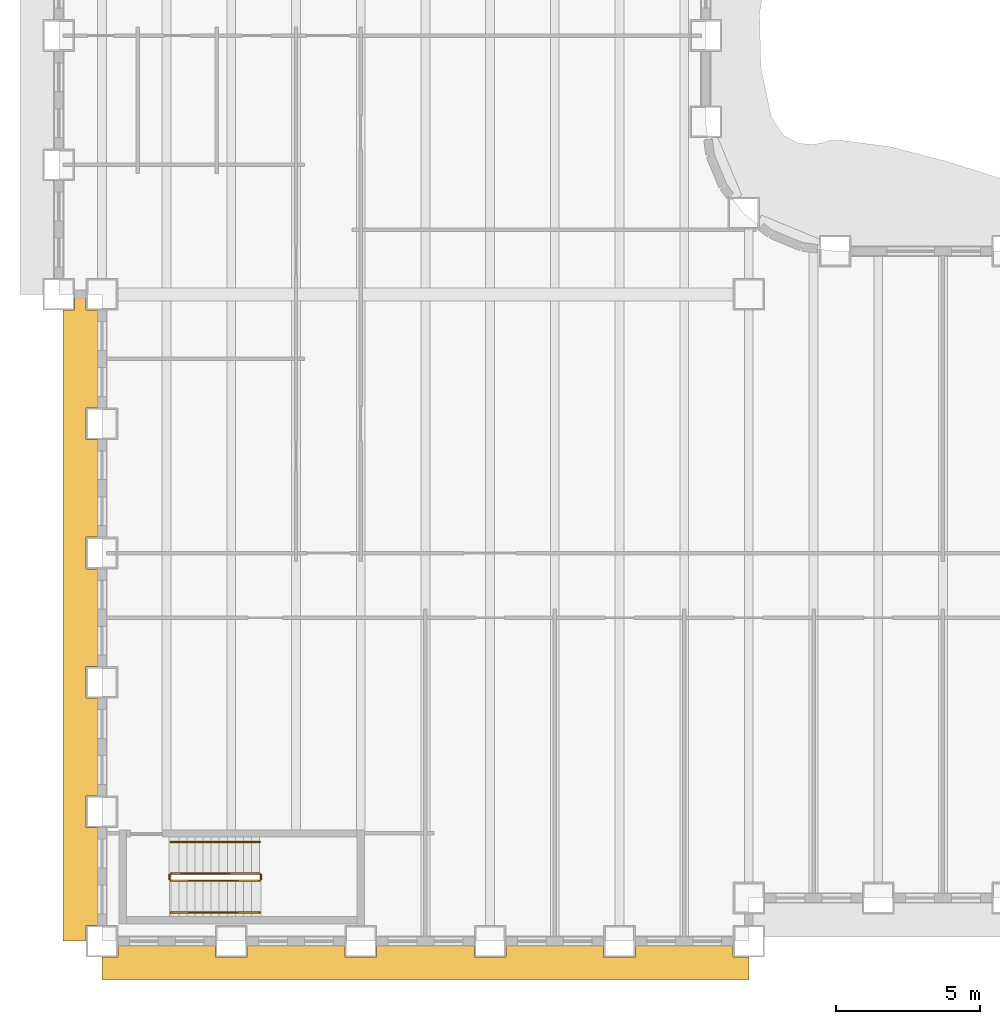
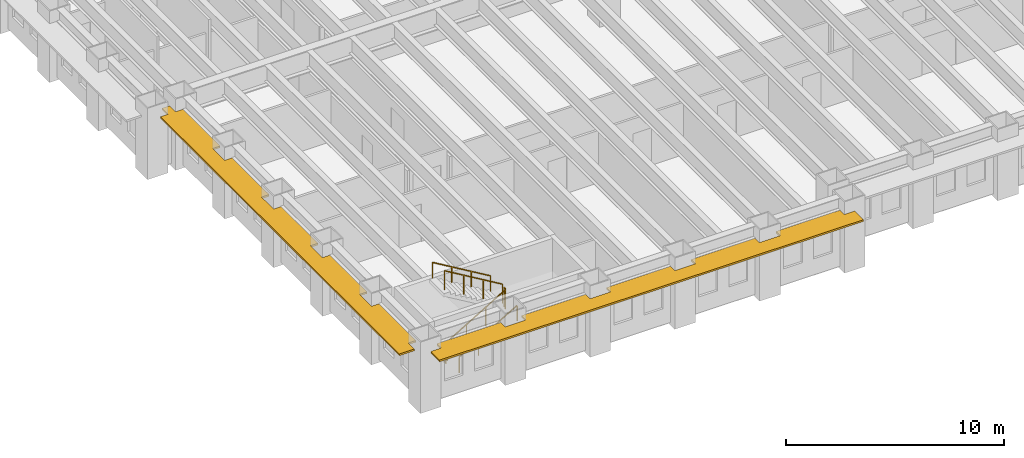
# One storey, part 11 of 16: 6 railings, 2 shading devices.
"""IFC4 building model written with IfcOpenShell, lengths in metres."""

import ifcopenshell
import ifcopenshell.guid

model = None  # the IFC model being written
_history = None  # IfcOwnerHistory: only IFC2X3 demands one
_inside = {}  # id of a spatial element -> (the spatial element, [elements in it])
_under = {}  # id of a project, library or spatial element -> (it, [spatial elements below it])
_declared = {}  # id of a project -> (the project, [libraries it declares])
_typed = {}  # id of a type object -> (the type object, [elements of that type])
_made_of = {}  # id of a material, layer set ... -> (it, [elements and type objects made of it])


def new_model(schema):
    """Start an empty IFC model of exactly this schema.

    Asked for "IFC4X3", IfcOpenShell would pick the latest addendum, in which some entities
    have other attributes; the version numbers below select the first issue.
    IFC2X3 requires an IfcOwnerHistory on every rooted entity: one is made here for all.
    """
    global model, _history
    if schema == "IFC4X3":
        model = ifcopenshell.file(schema_version=(4, 3, 0, 0))
    else:
        model = ifcopenshell.file(schema=schema)
    _inside.clear()
    _under.clear()
    _declared.clear()
    _typed.clear()
    _made_of.clear()
    _history = None
    if model.schema == "IFC2X3":
        org = make("IfcOrganization", Name="unknown")
        user = make(
            "IfcPersonAndOrganization",
            ThePerson=make("IfcPerson", FamilyName="unknown"),
            TheOrganization=org,
        )
        app = make(
            "IfcApplication",
            ApplicationDeveloper=org,
            Version="unknown",
            ApplicationFullName="unknown",
            ApplicationIdentifier="unknown",
        )
        _history = make(
            "IfcOwnerHistory",
            OwningUser=user,
            OwningApplication=app,
            ChangeAction="ADDED",
            CreationDate=0,
        )
    return model


def make(cls, **values):
    """One entity of the class cls with the attributes given. An attribute that is None is left unset."""
    return model.create_entity(
        cls, **{name: value for name, value in values.items() if value is not None}
    )


def rooted(cls, **values):
    """An entity with a GlobalId (a new one), such as an element, a storey or a relation."""
    return make(cls, GlobalId=ifcopenshell.guid.new(), OwnerHistory=_history, **values)


def si_unit(unit_type, name, prefix=None):
    """IfcSIUnit, for example si_unit("LENGTHUNIT", "METRE", prefix="MILLI")."""
    return make("IfcSIUnit", UnitType=unit_type, Prefix=prefix, Name=name)


def assignment(units):
    """IfcUnitAssignment: the units of a project."""
    return None if units is None else make("IfcUnitAssignment", Units=units)


def point(xyz):
    """IfcCartesianPoint."""
    return None if xyz is None else make("IfcCartesianPoint", Coordinates=xyz)


def direction(xyz):
    """IfcDirection."""
    return None if xyz is None else make("IfcDirection", DirectionRatios=xyz)


def frame(location, z_axis=None, x_axis=None):
    """IfcAxis2Placement3D, a coordinate frame: its origin and axes. An axis left out is left unset."""
    return make(
        "IfcAxis2Placement3D",
        Location=point(location),
        Axis=direction(z_axis),
        RefDirection=direction(x_axis),
    )


def frame_2d(location, x_axis=None):
    """IfcAxis2Placement2D, a coordinate frame in the plane: its origin and x axis."""
    return make(
        "IfcAxis2Placement2D", Location=point(location), RefDirection=direction(x_axis)
    )


def origin():
    """The frame at (0, 0, 0) with its axes left unset."""
    return frame((0.0, 0.0, 0.0))


def origin_2d():
    """The frame at (0, 0) in the plane with its x axis left unset."""
    return frame_2d((0.0, 0.0))


def place(relative_to, where):
    """IfcLocalPlacement: puts the frame where relative to a parent placement (None: the world)."""
    return make(
        "IfcLocalPlacement", PlacementRelTo=relative_to, RelativePlacement=where
    )


def context(
    kind, dimensions, precision=None, world=None, true_north=None, identifier=None
):
    """IfcGeometricRepresentationContext, for example the 3D "Model" context."""
    return make(
        "IfcGeometricRepresentationContext",
        ContextIdentifier=identifier,
        ContextType=kind,
        CoordinateSpaceDimension=dimensions,
        Precision=precision,
        WorldCoordinateSystem=world,
        TrueNorth=true_north,
    )


def subcontext(parent, identifier, kind, view, scale=None):
    """IfcGeometricRepresentationSubContext, for example "Body" below "Model"."""
    return make(
        "IfcGeometricRepresentationSubContext",
        ContextIdentifier=identifier,
        ContextType=kind,
        ParentContext=parent,
        TargetScale=scale,
        TargetView=view,
    )


def project(units=None, contexts=None):
    """IfcProject with its units and contexts."""
    return rooted(
        "IfcProject",
        Name="project",
        RepresentationContexts=contexts,
        UnitsInContext=assignment(units),
    )


def spatial(cls, under=None, at=None, **own):
    """A site, building, storey or space (cls), placed at a placement, below another one or the project."""
    s = rooted(cls, ObjectPlacement=at, **own)
    if under is not None:
        _under.setdefault(under.id(), (under, []))[1].append(s)
    return s


def polyline(points):
    """IfcPolyline through the points."""
    return make("IfcPolyline", Points=[point(p) for p in points])


def profile(cls, at=None, kind="AREA", **sizes):
    """A parametric profile (cls). Its sizes go by their IFC names, for example OverallWidth=200.0."""
    return make(cls, ProfileType=kind, Position=at, **sizes)


def rectangle(**sizes):
    """IfcRectangleProfileDef."""
    return profile("IfcRectangleProfileDef", **sizes)


def outline(outer, holes=None, kind="AREA"):
    """IfcArbitraryClosedProfileDef: a profile drawn as a closed curve; with holes, ...WithVoids."""
    if holes is None:
        return make("IfcArbitraryClosedProfileDef", ProfileType=kind, OuterCurve=outer)
    return make(
        "IfcArbitraryProfileDefWithVoids",
        ProfileType=kind,
        OuterCurve=outer,
        InnerCurves=holes,
    )


def extrude(swept, where, along, depth):
    """IfcExtrudedAreaSolid: the profile swept, set in the frame where, extruded along a direction by depth."""
    return make(
        "IfcExtrudedAreaSolid",
        SweptArea=swept,
        Position=where,
        ExtrudedDirection=direction(along),
        Depth=depth,
    )


def shape(context_of_items, identifier, shape_type, items):
    """IfcShapeRepresentation: the items that make up one representation, for example the "Body"."""
    return make(
        "IfcShapeRepresentation",
        ContextOfItems=context_of_items,
        RepresentationIdentifier=identifier,
        RepresentationType=shape_type,
        Items=items,
    )


def material(Name=None, Category=None):
    """IfcMaterial."""
    return make("IfcMaterial", Name=Name, Category=Category)


def layer(
    of_material, thickness, ventilated=None, Name=None, Category=None, Priority=None
):
    """IfcMaterialLayer: one layer of a wall or slab, of a material (None: an air gap)."""
    return make(
        "IfcMaterialLayer",
        Material=of_material,
        LayerThickness=thickness,
        IsVentilated=ventilated,
        Name=Name,
        Category=Category,
        Priority=Priority,
    )


def layer_set(layers, Name=None):
    """IfcMaterialLayerSet."""
    return make("IfcMaterialLayerSet", MaterialLayers=layers, LayerSetName=Name)


def made_of(thing, what):
    """Note that an element or type object is made of a material, layer set ...; save() writes the relation."""
    if what is not None:
        _made_of.setdefault(what.id(), (what, []))[1].append(thing)
    return thing


def type_object(cls, material=None, **own):
    """A type object (cls), such as IfcWallType, which elements share."""
    return made_of(rooted(cls, **own), material)


def element(
    cls,
    number,
    at=None,
    inside=None,
    cuts=None,
    type_object=None,
    material=None,
    context=None,
    identifier="Body",
    shape_type=None,
    held_by="IfcProductDefinitionShape",
    body=None,
    shapes=None,
    **own,
):
    """One element of the class cls, such as IfcWall. Its Tag is "e" and its number.

    at: its placement. inside: the storey or other place that contains it. cuts: it is an
    opening in that element (IfcRelVoidsElement). A single representation is given by context,
    identifier, shape_type and body (its items); several are given by shapes. held_by: the class
    of the entity that holds the representations. save() writes the other relations.
    """
    e = rooted(cls, Tag="e%d" % number, ObjectPlacement=at, **own)
    if body is not None:
        shapes = [shape(context, identifier, shape_type, body)]
    if shapes is not None:
        e.Representation = make(held_by, Representations=shapes)
    if inside is not None:
        _inside.setdefault(inside.id(), (inside, []))[1].append(e)
    if cuts is not None:
        rooted(
            "IfcRelVoidsElement", RelatingBuildingElement=cuts, RelatedOpeningElement=e
        )
    if type_object is not None:
        _typed.setdefault(type_object.id(), (type_object, []))[1].append(e)
    return made_of(e, material)


def aggregate(whole, parts):
    """IfcRelAggregates: a whole, such as a stair, and the parts it consists of."""
    return rooted("IfcRelAggregates", RelatingObject=whole, RelatedObjects=parts)


def save(model, path):
    """Write the relations noted so far, then the file.

    IfcRelAggregates (storeys below a building ...), IfcRelContainedInSpatialStructure (elements
    in a storey), IfcRelDefinesByType, IfcRelAssociatesMaterial and IfcRelDeclares: one each for
    every whole, place, type object, material and project.
    """
    for whole, parts in _under.values():
        aggregate(whole, parts)
    for where, things in _inside.values():
        rooted(
            "IfcRelContainedInSpatialStructure",
            RelatedElements=things,
            RelatingStructure=where,
        )
    for kind, things in _typed.values():
        rooted("IfcRelDefinesByType", RelatedObjects=things, RelatingType=kind)
    for what, things in _made_of.values():
        rooted("IfcRelAssociatesMaterial", RelatedObjects=things, RelatingMaterial=what)
    for by, libraries in _declared.values():
        rooted("IfcRelDeclares", RelatingContext=by, RelatedDefinitions=libraries)
    model.write(path)


model = new_model("IFC4")

# Units and contexts
model_context = context("Model", 3, precision=1e-05, world=origin(), true_north=direction((0.0, 1.0)))
body_context = subcontext(model_context, "Body", "Model", "MODEL_VIEW")
ifc_project = project(units=[si_unit("LENGTHUNIT", "METRE"), si_unit("AREAUNIT", "SQUARE_METRE"), si_unit("VOLUMEUNIT", "CUBIC_METRE"), si_unit("PLANEANGLEUNIT", "RADIAN"), si_unit("MASSUNIT", "GRAM", prefix="KILO")], contexts=[model_context])

# Site, building, storey
site_placement = place(None, origin())
site = spatial("IfcSite", under=ifc_project, at=site_placement, CompositionType="ELEMENT")
building_placement = place(site_placement, origin())
building = spatial("IfcBuilding", under=site, at=building_placement, Name="Sennacour Bend Tower", CompositionType="ELEMENT")
storey_placement = place(building_placement, frame((0.0, 0.0, 45.0)))
storey = spatial("IfcBuildingStorey", under=building, at=storey_placement, Name="L09", CompositionType="ELEMENT", Elevation=45.0)

# Railings
ifc_material_1 = material(Name="Stainless steel", Category="steel")
railing_type_1 = type_object("IfcRailingType", Name="RL-GUARD-1100", PredefinedType="GUARDRAIL", material=ifc_material_1)
railing_1_placement = place(storey_placement, frame((2.39990234375, 2.10009765625, 0.166748046875)))
element("IfcRailing", 1, at=railing_1_placement, inside=storey, type_object=railing_type_1, Name="L09 SK1 stair guard 1", PredefinedType="GUARDRAIL", context=body_context, shape_type="SweptSolid", body=[
    extrude(rectangle(XDim=0.048095703125, YDim=0.048095703125, at=origin_2d()), frame((0.0, 0.0, 1.076171875), z_axis=(0.859308565015, 0.0, 0.511457515432), x_axis=(0.0, 1.0, 0.0)), (0.0, 0.0, 1.0), 3.58447265625),
    extrude(rectangle(XDim=0.0419921875, YDim=0.0419921875, at=origin_2d()), origin(), (0.0, 0.0, 1.0), 1.052001953125),
    extrude(rectangle(XDim=0.0419921875, YDim=0.0419921875, at=origin_2d()), frame((1.026611328125, 0.0, 0.611083984375)), (0.0, 0.0, 1.0), 1.052001953125),
    extrude(rectangle(XDim=0.0419921875, YDim=0.0419921875, at=origin_2d()), frame((2.053466796875, 0.0, 1.22216796875)), (0.0, 0.0, 1.0), 1.052001953125),
    extrude(rectangle(XDim=0.0419921875, YDim=0.0419921875, at=origin_2d()), frame((3.080078125, 0.0, 1.833251953125)), (0.0, 0.0, 1.0), 1.052001953125),
])
railing_2_placement = place(storey_placement, frame((5.530029296875, 2.14990234375, 2.0)))
element("IfcRailing", 2, at=railing_2_placement, inside=storey, type_object=railing_type_1, Name="L09 SK1 stair guard 2", PredefinedType="GUARDRAIL", context=body_context, shape_type="SweptSolid", body=[
    extrude(rectangle(XDim=0.048095703125, YDim=0.048095703125, at=origin_2d()), frame((0.0, 0.0, 1.076171875), z_axis=(0.0, 1.0, 0.0), x_axis=(-1.0, 0.0, 0.0)), (0.0, 0.0, 1.0), 0.150146484375),
    extrude(rectangle(XDim=0.0419921875, YDim=0.0419921875, at=origin_2d()), origin(), (0.0, 0.0, 1.0), 1.052001953125),
    extrude(rectangle(XDim=0.0419921875, YDim=0.0419921875, at=origin_2d()), frame((0.0, 0.150146484375, 0.0)), (0.0, 0.0, 1.0), 1.052001953125),
])
railing_3_placement = place(storey_placement, frame((5.47998046875, 2.35009765625, 2.166748046875)))
element("IfcRailing", 3, at=railing_3_placement, inside=storey, type_object=railing_type_1, Name="L09 SK1 stair guard 3", PredefinedType="GUARDRAIL", context=body_context, shape_type="SweptSolid", body=[
    extrude(rectangle(XDim=0.048095703125, YDim=0.048095703125, at=origin_2d()), frame((0.0, 0.0, 1.076171875), z_axis=(-0.859308565015, 0.0, 0.511457515432), x_axis=(0.0, -1.0, 0.0)), (0.0, 0.0, 1.0), 3.58447265625),
    extrude(rectangle(XDim=0.0419921875, YDim=0.0419921875, at=origin_2d()), origin(), (0.0, 0.0, 1.0), 1.052001953125),
    extrude(rectangle(XDim=0.0419921875, YDim=0.0419921875, at=origin_2d()), frame((-1.026611328125, 0.0, 0.611083984375)), (0.0, 0.0, 1.0), 1.052001953125),
    extrude(rectangle(XDim=0.0419921875, YDim=0.0419921875, at=origin_2d()), frame((-2.053466796875, 0.0, 1.22216796875)), (0.0, 0.0, 1.0), 1.052001953125),
    extrude(rectangle(XDim=0.0419921875, YDim=0.0419921875, at=origin_2d()), frame((-3.080078125, 0.0, 1.833251953125)), (0.0, 0.0, 1.0), 1.052001953125),
])
railing_4_placement = place(storey_placement, frame((2.35009765625, 2.14990234375, 0.0)))
element("IfcRailing", 4, at=railing_4_placement, inside=storey, type_object=railing_type_1, Name="L09 SK1 stair guard 4", PredefinedType="GUARDRAIL", context=body_context, shape_type="SweptSolid", body=[
    extrude(rectangle(XDim=0.048095703125, YDim=0.048095703125, at=origin_2d()), frame((0.0, 0.0, 1.076171875), z_axis=(0.0, 1.0, 0.0), x_axis=(-1.0, 0.0, 0.0)), (0.0, 0.0, 1.0), 0.150146484375),
    extrude(rectangle(XDim=0.0419921875, YDim=0.0419921875, at=origin_2d()), origin(), (0.0, 0.0, 1.0), 1.052001953125),
    extrude(rectangle(XDim=0.0419921875, YDim=0.0419921875, at=origin_2d()), frame((0.0, 0.150146484375, 0.0)), (0.0, 0.0, 1.0), 1.052001953125),
])
railing_type_2 = type_object("IfcRailingType", Name="RL-HANDRAIL-900", PredefinedType="HANDRAIL", material=ifc_material_1)
railing_5_placement = place(storey_placement, frame((2.39990234375, 1.0, 0.166748046875)))
element("IfcRailing", 5, at=railing_5_placement, inside=storey, type_object=railing_type_2, Name="L09 SK1 stair handrail 1", PredefinedType="HANDRAIL", context=body_context, shape_type="SweptSolid", body=[
    extrude(rectangle(XDim=0.048095703125, YDim=0.048095703125, at=origin_2d()), frame((0.0, 0.0, 0.8759765625), z_axis=(0.859308565015, 0.0, 0.511457515432), x_axis=(0.0, 1.0, 0.0)), (0.0, 0.0, 1.0), 3.58447265625),
    extrude(rectangle(XDim=0.0419921875, YDim=0.0419921875, at=origin_2d()), origin(), (0.0, 0.0, 1.0), 0.851806640625),
    extrude(rectangle(XDim=0.0419921875, YDim=0.0419921875, at=origin_2d()), frame((1.026611328125, 0.0, 0.611083984375)), (0.0, 0.0, 1.0), 0.851806640625),
    extrude(rectangle(XDim=0.0419921875, YDim=0.0419921875, at=origin_2d()), frame((2.053466796875, 0.0, 1.22216796875)), (0.0, 0.0, 1.0), 0.851806640625),
    extrude(rectangle(XDim=0.0419921875, YDim=0.0419921875, at=origin_2d()), frame((3.080078125, 0.0, 1.833251953125)), (0.0, 0.0, 1.0), 0.851806640625),
])
railing_6_placement = place(storey_placement, frame((5.47998046875, 3.449951171875, 2.166748046875)))
element("IfcRailing", 6, at=railing_6_placement, inside=storey, type_object=railing_type_2, Name="L09 SK1 stair handrail 2", PredefinedType="HANDRAIL", context=body_context, shape_type="SweptSolid", body=[
    extrude(rectangle(XDim=0.048095703125, YDim=0.048095703125, at=origin_2d()), frame((0.0, 0.0, 0.8759765625), z_axis=(-0.859308565015, 0.0, 0.511457515432), x_axis=(0.0, -1.0, 0.0)), (0.0, 0.0, 1.0), 3.58447265625),
    extrude(rectangle(XDim=0.0419921875, YDim=0.0419921875, at=origin_2d()), origin(), (0.0, 0.0, 1.0), 0.851806640625),
    extrude(rectangle(XDim=0.0419921875, YDim=0.0419921875, at=origin_2d()), frame((-1.026611328125, 0.0, 0.611083984375)), (0.0, 0.0, 1.0), 0.851806640625),
    extrude(rectangle(XDim=0.0419921875, YDim=0.0419921875, at=origin_2d()), frame((-2.053466796875, 0.0, 1.22216796875)), (0.0, 0.0, 1.0), 0.851806640625),
    extrude(rectangle(XDim=0.0419921875, YDim=0.0419921875, at=origin_2d()), frame((-3.080078125, 0.0, 1.833251953125)), (0.0, 0.0, 1.0), 0.851806640625),
])

# Shading devices
ifc_material_2 = material(Name="Bronze anodised aluminium", Category="aluminium")
ifc_layer = layer(ifc_material_2, 0.10009765625, Name="Bronze anodised aluminium", Category="aluminium")
ifc_layer_set = layer_set([ifc_layer], Name="Bronze anodised aluminium")
shading_device_type = type_object("IfcShadingDeviceType", Name="SUNSHADE BAND STRAIGHT", PredefinedType="USERDEFINED", material=ifc_layer_set)
shading_device_1_placement = place(storey_placement, frame((0.0, 0.0, 3.0439453125)))
element("IfcShadingDevice", 7, at=shading_device_1_placement, inside=storey, type_object=shading_device_type, Name="Sunshade band L09 K outer face", ObjectType="SUNSHADE", PredefinedType="USERDEFINED", context=body_context, shape_type="SweptSolid", body=[
    extrude(outline(polyline([(3.949951171875, -0.14990234375), (3.949951171875, -0.550048828125), (5.050048828125, -0.550048828125), (5.050048828125, -0.14990234375), (8.449951171875, -0.14990234375), (8.449951171875, -0.550048828125), (9.550048828125, -0.550048828125), (9.550048828125, -0.14990234375), (12.949951171875, -0.14990234375), (12.949951171875, -0.550048828125), (14.050048828125, -0.550048828125), (14.050048828125, -0.14990234375), (17.449951171875, -0.14990234375), (17.449951171875, -0.550048828125), (18.550048828125, -0.550048828125), (18.550048828125, -0.14990234375), (21.949951171875, -0.14990234375), (21.949951171875, -0.550048828125), (22.5, -0.550048828125), (22.5, -1.35009765625), (0.0, -1.35009765625), (0.0, -0.550048828125), (0.550048828125, -0.550048828125), (0.550048828125, -0.14990234375), (3.949951171875, -0.14990234375)])), origin(), (0.0, 0.0, 1.0), 0.10009765625),
])
shading_device_2_placement = place(storey_placement, frame((0.0, 0.0, 3.0439453125)))
element("IfcShadingDevice", 8, at=shading_device_2_placement, inside=storey, type_object=shading_device_type, Name="Sunshade band L09 K outer face", ObjectType="SUNSHADE", PredefinedType="USERDEFINED", context=body_context, shape_type="SweptSolid", body=[
    extrude(outline(polyline([(-0.14990234375, 18.550048828125), (-0.550048828125, 18.550048828125), (-0.550048828125, 17.449951171875), (-0.14990234375, 17.449951171875), (-0.14990234375, 14.050048828125), (-0.550048828125, 14.050048828125), (-0.550048828125, 12.949951171875), (-0.14990234375, 12.949951171875), (-0.14990234375, 9.550048828125), (-0.550048828125, 9.550048828125), (-0.550048828125, 8.449951171875), (-0.14990234375, 8.449951171875), (-0.14990234375, 5.050048828125), (-0.550048828125, 5.050048828125), (-0.550048828125, 3.949951171875), (-0.14990234375, 3.949951171875), (-0.14990234375, 0.550048828125), (-0.550048828125, 0.550048828125), (-0.550048828125, 0.0), (-1.35009765625, 0.0), (-1.35009765625, 21.949951171875), (-0.949951171875, 21.949951171875), (-0.949951171875, 22.5), (-0.550048828125, 22.5), (-0.550048828125, 21.949951171875), (-0.14990234375, 21.949951171875), (-0.14990234375, 18.550048828125)])), origin(), (0.0, 0.0, 1.0), 0.10009765625),
])

save(model, "model.ifc")
